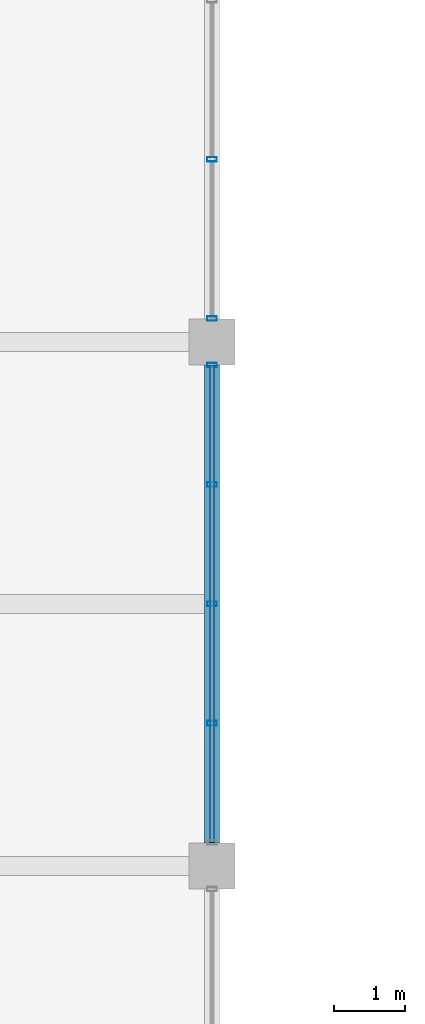
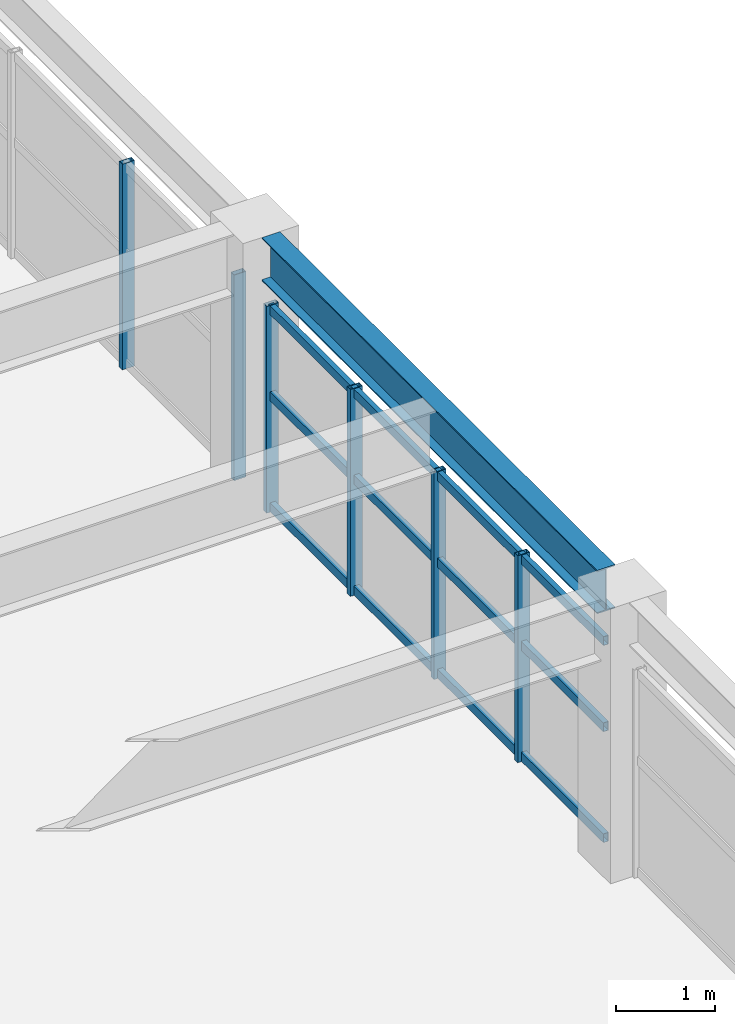
# One storey, part 50 of 93: 9 members, 1 beam, 2 elements without a shape of their own.
"""IFC4 building model written with IfcOpenShell, lengths in metres."""

from ifc_helpers import new_model, si_unit, direction, frame, origin, origin_2d, place, context, subcontext, project, spatial, hollow_rectangle, i_section, extrude, material, material_profile, profile_set, type_object, element, aggregate, save


model = new_model("IFC4")

# Units and contexts
model_context = context("Model", 3, precision=1e-05, world=origin(), true_north=direction((0.0, 1.0)))
body_context = subcontext(model_context, "Body", "Model", "MODEL_VIEW")
ifc_project = project(units=[si_unit("LENGTHUNIT", "METRE"), si_unit("AREAUNIT", "SQUARE_METRE"), si_unit("VOLUMEUNIT", "CUBIC_METRE"), si_unit("PLANEANGLEUNIT", "RADIAN"), si_unit("MASSUNIT", "GRAM", prefix="KILO")], contexts=[model_context])

# Site, building, storey
site_placement = place(None, origin())
site = spatial("IfcSite", under=ifc_project, at=site_placement, CompositionType="ELEMENT")
building_placement = place(site_placement, origin())
building = spatial("IfcBuilding", under=site, at=building_placement, Name="Cimatlan Art Gallery", CompositionType="ELEMENT")
storey_placement = place(building_placement, frame((0.0, 0.0, 13.800048828125)))
storey = spatial("IfcBuildingStorey", under=building, at=storey_placement, Name="L03", CompositionType="ELEMENT", Elevation=13.800048828125)

# Beam
ifc_material_1 = material(Name="Steel ASTM A992 Grade 50", Category="steel")
ifc_material_profile_1 = material_profile(ifc_material_1, i_section(OverallWidth=0.2099609375, OverallDepth=0.532958984375, WebThickness=0.01025390625, FlangeThickness=0.015625, at=origin_2d()), Name="W21X62")
ifc_profile_set_1 = profile_set([ifc_material_profile_1], Name="Steel ASTM A992 Grade 50")
beam_type = type_object("IfcBeamType", Name="BM-STL-W21X62", PredefinedType="BEAM", material=ifc_profile_set_1)
beam_placement = place(storey_placement, frame((99.199951171875, 53.824951171875, 3.113525390625), z_axis=(0.0, 1.0, 0.0), x_axis=(-1.0, 0.0, 0.0)))
element("IfcBeam", 1, at=beam_placement, inside=storey, type_object=beam_type, Name="BM-Y-L03-12-07", PredefinedType="BEAM", context=body_context, shape_type="SweptSolid", body=[
    extrude(i_section(OverallWidth=0.2099609375, OverallDepth=0.532958984375, WebThickness=0.01025390625, FlangeThickness=0.015625, at=origin_2d()), origin(), (0.0, 0.0, 1.0), 6.75),
])

# Curtain wall, members
ifc_material_2 = material(Name="Anodised bronze unitised curtain wall")
curtain_wall_type_1 = type_object("IfcCurtainWallType", Name="CW-V-06742X02543-B4", PredefinedType="NOTDEFINED", material=ifc_material_2)
curtain_wall_1_placement = place(storey_placement, origin())
curtain_wall_1 = element("IfcCurtainWall", 2, at=curtain_wall_1_placement, inside=storey, type_object=curtain_wall_type_1, Name="CW-L03-11-07-E", PredefinedType="NOTDEFINED")
ifc_material_3 = material(Name="Anodised bronze aluminium 6063-T6", Category="aluminium")
ifc_material_profile_2 = material_profile(ifc_material_3, hollow_rectangle(XDim=0.06494140625, YDim=0.139892578125, WallThickness=0.00390625, at=origin_2d()), Name="ALU65X140X4")
ifc_profile_set_2 = profile_set([ifc_material_profile_2], Name="Anodised bronze aluminium 6063-T6")
member_type_1 = type_object("IfcMemberType", Name="CW-MUL-140", PredefinedType="MULLION", material=ifc_profile_set_2)
member_1_placement = place(storey_placement, frame((99.199951171875, 60.571044921875, 0.0), z_axis=(0.0, 0.0, 1.0), x_axis=(0.0, 1.0, 0.0)))
member_1 = element("IfcMember", 3, at=member_1_placement, type_object=member_type_1, Name="CW-L03-11-07-E-M1", PredefinedType="MULLION", context=body_context, shape_type="SweptSolid", body=[
    extrude(hollow_rectangle(XDim=0.06494140625, YDim=0.139892578125, WallThickness=0.00390625, at=origin_2d()), origin(), (0.0, 0.0, 1.0), 2.54296875),
])
member_2_placement = place(storey_placement, frame((99.199951171875, 58.885498046875, 0.0), z_axis=(0.0, 0.0, 1.0), x_axis=(0.0, 1.0, 0.0)))
member_2 = element("IfcMember", 4, at=member_2_placement, type_object=member_type_1, Name="CW-L03-11-07-E-M2", PredefinedType="MULLION", context=body_context, shape_type="SweptSolid", body=[
    extrude(hollow_rectangle(XDim=0.06494140625, YDim=0.139892578125, WallThickness=0.00390625, at=origin_2d()), origin(), (0.0, 0.0, 1.0), 2.54296875),
])
member_3_placement = place(storey_placement, frame((99.199951171875, 57.199951171875, 0.0), z_axis=(0.0, 0.0, 1.0), x_axis=(0.0, 1.0, 0.0)))
member_3 = element("IfcMember", 5, at=member_3_placement, type_object=member_type_1, Name="CW-L03-11-07-E-M3", PredefinedType="MULLION", context=body_context, shape_type="SweptSolid", body=[
    extrude(hollow_rectangle(XDim=0.06494140625, YDim=0.139892578125, WallThickness=0.00390625, at=origin_2d()), origin(), (0.0, 0.0, 1.0), 2.54296875),
])
member_4_placement = place(storey_placement, frame((99.199951171875, 55.514404296875, 0.0), z_axis=(0.0, 0.0, 1.0), x_axis=(0.0, 1.0, 0.0)))
member_4 = element("IfcMember", 6, at=member_4_placement, type_object=member_type_1, Name="CW-L03-11-07-E-M4", PredefinedType="MULLION", context=body_context, shape_type="SweptSolid", body=[
    extrude(hollow_rectangle(XDim=0.06494140625, YDim=0.139892578125, WallThickness=0.00390625, at=origin_2d()), origin(), (0.0, 0.0, 1.0), 2.54296875),
])

curtain_wall_type_2 = type_object("IfcCurtainWallType", Name="CW-V-06742X02528-B3", PredefinedType="NOTDEFINED", material=ifc_material_2)
curtain_wall_2_placement = place(storey_placement, origin())
curtain_wall_2 = element("IfcCurtainWall", 7, at=curtain_wall_2_placement, inside=storey, type_object=curtain_wall_type_2, Name="CW-L03-11-08-E", PredefinedType="NOTDEFINED")
member_5_placement = place(storey_placement, frame((99.199951171875, 63.476318359375, 0.0), z_axis=(0.0, 0.0, 1.0), x_axis=(0.0, 1.0, 0.0)))
member_5 = element("IfcMember", 8, at=member_5_placement, type_object=member_type_1, Name="CW-L03-11-08-E-M3", PredefinedType="MULLION", context=body_context, shape_type="SweptSolid", body=[
    extrude(hollow_rectangle(XDim=0.06494140625, YDim=0.139892578125, WallThickness=0.00390625, at=origin_2d()), origin(), (0.0, 0.0, 1.0), 2.52783203125),
])
member_6_placement = place(storey_placement, frame((99.199951171875, 61.22900390625, 0.0), z_axis=(0.0, 0.0, 1.0), x_axis=(0.0, 1.0, 0.0)))
member_6 = element("IfcMember", 9, at=member_6_placement, type_object=member_type_1, Name="CW-L03-11-08-E-M4", PredefinedType="MULLION", context=body_context, shape_type="SweptSolid", body=[
    extrude(hollow_rectangle(XDim=0.06494140625, YDim=0.139892578125, WallThickness=0.00390625, at=origin_2d()), origin(), (0.0, 0.0, 1.0), 2.52783203125),
])
aggregate(curtain_wall_2, [member_5, member_6])

# Member
ifc_material_profile_3 = material_profile(ifc_material_3, hollow_rectangle(XDim=0.06005859375, YDim=0.110107421875, WallThickness=0.00341796875, at=origin_2d()), Name="ALU60X110X3")
ifc_profile_set_3 = profile_set([ifc_material_profile_3], Name="Anodised bronze aluminium 6063-T6")
member_type_2 = type_object("IfcMemberType", Name="CW-TRN-110", PredefinedType="USERDEFINED", material=ifc_profile_set_3)
member_7_placement = place(storey_placement, frame((99.199951171875, 60.571044921875, 0.06005859375), z_axis=(0.0, -1.0, 0.0), x_axis=(1.0, 0.0, 0.0)))
member_7 = element("IfcMember", 10, at=member_7_placement, type_object=member_type_2, Name="CW-L03-11-07-E-T1", ObjectType="TRANSOM", PredefinedType="USERDEFINED", context=body_context, shape_type="SweptSolid", body=[
    extrude(hollow_rectangle(XDim=0.06005859375, YDim=0.110107421875, WallThickness=0.00341796875, at=origin_2d()), origin(), (0.0, 0.0, 1.0), 6.741943359375),
])

member_8_placement = place(storey_placement, frame((99.199951171875, 60.571044921875, 1.424072265625), z_axis=(0.0, -1.0, 0.0), x_axis=(1.0, 0.0, 0.0)))
member_8 = element("IfcMember", 11, at=member_8_placement, type_object=member_type_2, Name="CW-L03-11-07-E-T2", ObjectType="TRANSOM", PredefinedType="USERDEFINED", context=body_context, shape_type="SweptSolid", body=[
    extrude(hollow_rectangle(XDim=0.06005859375, YDim=0.110107421875, WallThickness=0.00341796875, at=origin_2d()), origin(), (0.0, 0.0, 1.0), 6.741943359375),
])

member_9_placement = place(storey_placement, frame((99.199951171875, 60.571044921875, 2.48291015625), z_axis=(0.0, -1.0, 0.0), x_axis=(1.0, 0.0, 0.0)))
member_9 = element("IfcMember", 12, at=member_9_placement, type_object=member_type_2, Name="CW-L03-11-07-E-T3", ObjectType="TRANSOM", PredefinedType="USERDEFINED", context=body_context, shape_type="SweptSolid", body=[
    extrude(hollow_rectangle(XDim=0.06005859375, YDim=0.110107421875, WallThickness=0.00341796875, at=origin_2d()), origin(), (0.0, 0.0, 1.0), 6.741943359375),
])

aggregate(curtain_wall_1, [member_1, member_2, member_3, member_4, member_7, member_8, member_9])

save(model, "model.ifc")
